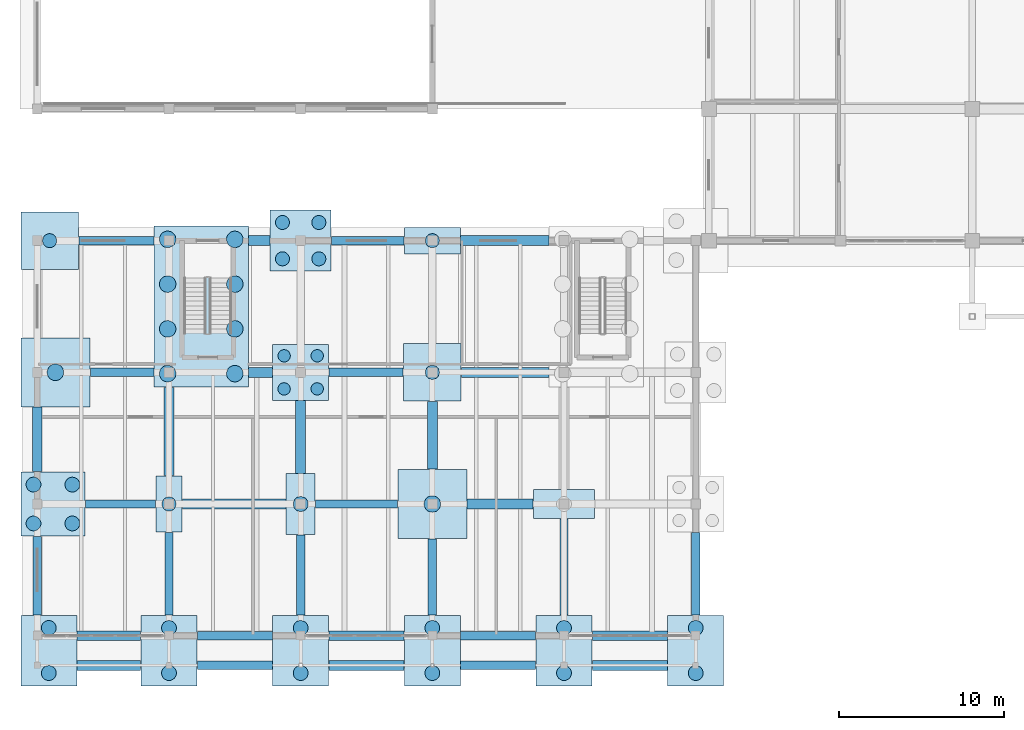
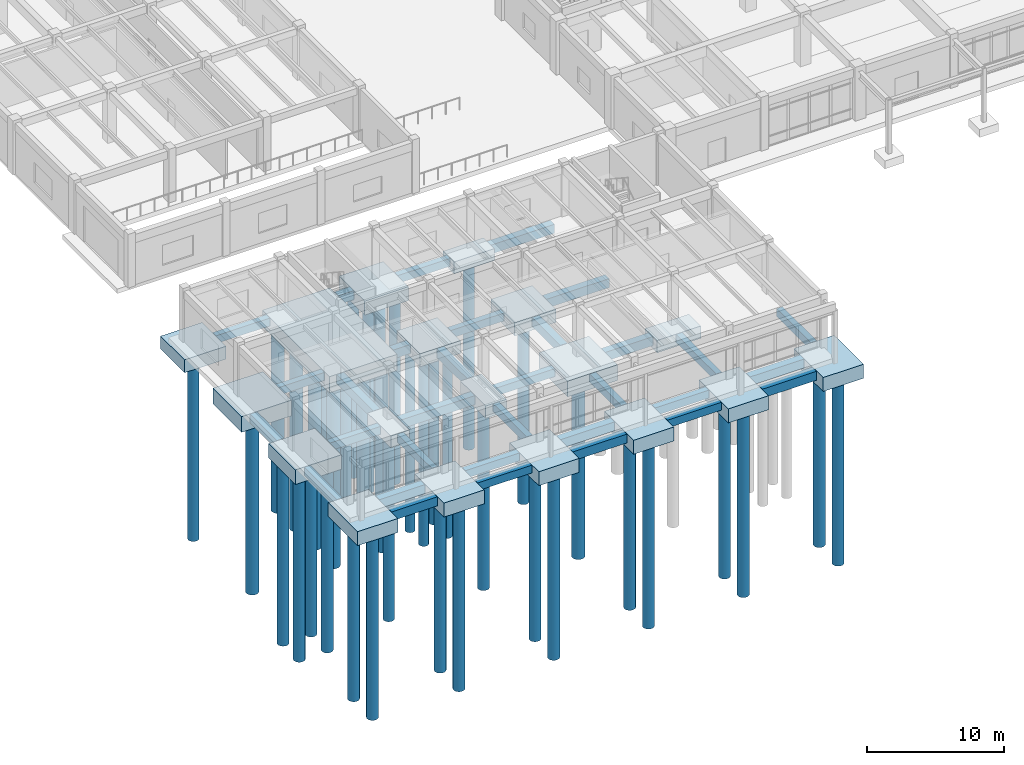
# One storey, part 1 of 64: 50 footings, 39 piles.
"""IFC4 building model written with IfcOpenShell, lengths in metres."""

from ifc_helpers import new_model, si_unit, direction, frame, origin, origin_2d, place, context, subcontext, project, spatial, rectangle, circle, extrude, material, layer, layer_set, material_profile, profile_set, type_object, element, save


model = new_model("IFC4")

# Units and contexts
model_context = context("Model", 3, precision=1e-05, world=origin(), true_north=direction((0.0, 1.0)))
body_context = subcontext(model_context, "Body", "Model", "MODEL_VIEW")
ifc_project = project(units=[si_unit("LENGTHUNIT", "METRE"), si_unit("AREAUNIT", "SQUARE_METRE"), si_unit("VOLUMEUNIT", "CUBIC_METRE"), si_unit("PLANEANGLEUNIT", "RADIAN"), si_unit("MASSUNIT", "GRAM", prefix="KILO")], contexts=[model_context])

# Site, building, storey
site_placement = place(None, origin())
site = spatial("IfcSite", under=ifc_project, at=site_placement, CompositionType="ELEMENT")
building_placement = place(site_placement, origin())
building = spatial("IfcBuilding", under=site, at=building_placement, Name="Tlaxcora Railside Police Headquarters", CompositionType="ELEMENT")
storey_placement = place(building_placement, origin())
storey = spatial("IfcBuildingStorey", under=building, at=storey_placement, Name="L00", CompositionType="ELEMENT", Elevation=0.0)

# Piles
ifc_material_1 = material(Name="Concrete C35/45", Category="concrete")
ifc_material_profile_1 = material_profile(ifc_material_1, circle(Radius=0.425048828125, at=origin_2d()), Name="PILE850")
ifc_profile_set_1 = profile_set([ifc_material_profile_1], Name="Concrete C35/45")
pile_type_1 = type_object("IfcPileType", Name="Cast-in-Place Bored Pile PL-12", PredefinedType="BORED", material=ifc_profile_set_1)
pile_1_placement = place(storey_placement, frame((5.949951171875, 36.0, -1.419921875), z_axis=(0.0, 0.0, -1.0), x_axis=(1.0, 0.0, 0.0)))
element("IfcPile", 1, at=pile_1_placement, inside=storey, type_object=pile_type_1, Name="Bored pile PILE-112-1", PredefinedType="BORED", context=body_context, shape_type="SweptSolid", body=[
    extrude(circle(Radius=0.425048828125, at=origin_2d()), origin(), (0.0, 0.0, 1.0), 16.580078125),
])
pile_2_placement = place(storey_placement, frame((13.199951171875, 20.0, -1.320068359375), z_axis=(0.0, 0.0, -1.0), x_axis=(1.0, 0.0, 0.0)))
element("IfcPile", 2, at=pile_2_placement, inside=storey, type_object=pile_type_1, Name="Bored pile PILE-114-1", PredefinedType="BORED", context=body_context, shape_type="SweptSolid", body=[
    extrude(circle(Radius=0.425048828125, at=origin_2d()), origin(), (0.0, 0.0, 1.0), 16.679931640625),
])
for number, where, z_axis, x_axis, name in (
    (3, (20.094970703125, 34.89501953125, -1.52001953125), (0.0, 0.0, -1.0), (1.0, 0.0, 0.0), "Bored pile PILE-118-1"),
    (4, (20.094970703125, 37.10498046875, -1.52001953125), (0.0, 0.0, -1.0), (1.0, 0.0, 0.0), "Bored pile PILE-118-2"),
    (5, (22.304931640625, 34.89501953125, -1.52001953125), (0.0, 0.0, -1.0), (1.0, 0.0, 0.0), "Bored pile PILE-118-3"),
    (6, (22.304931640625, 37.10498046875, -1.52001953125), (0.0, 0.0, -1.0), (1.0, 0.0, 0.0), "Bored pile PILE-118-4"),
):
    element("IfcPile", number, at=place(storey_placement, frame(where, z_axis=z_axis, x_axis=x_axis)), inside=storey, type_object=pile_type_1, Name=name, PredefinedType="BORED", context=body_context, shape_type="SweptSolid", body=[
        extrude(circle(Radius=0.425048828125, at=origin_2d()), origin(), (0.0, 0.0, 1.0), 16.47998046875),
    ])
pile_3_placement = place(storey_placement, frame((29.199951171875, 28.0, -1.419921875), z_axis=(0.0, 0.0, -1.0), x_axis=(1.0, 0.0, 0.0)))
element("IfcPile", 7, at=pile_3_placement, inside=storey, type_object=pile_type_1, Name="Bored pile PILE-121-1", PredefinedType="BORED", context=body_context, shape_type="SweptSolid", body=[
    extrude(circle(Radius=0.425048828125, at=origin_2d()), origin(), (0.0, 0.0, 1.0), 16.580078125),
])
pile_4_placement = place(storey_placement, frame((29.199951171875, 36.0, -1.320068359375), z_axis=(0.0, 0.0, -1.0), x_axis=(1.0, 0.0, 0.0)))
element("IfcPile", 8, at=pile_4_placement, inside=storey, type_object=pile_type_1, Name="Bored pile PILE-122-1", PredefinedType="BORED", context=body_context, shape_type="SweptSolid", body=[
    extrude(circle(Radius=0.425048828125, at=origin_2d()), origin(), (0.0, 0.0, 1.0), 16.679931640625),
])
ifc_material_profile_2 = material_profile(ifc_material_1, circle(Radius=0.449951171875, at=origin_2d()), Name="PILE900")
ifc_profile_set_2 = profile_set([ifc_material_profile_2], Name="Concrete C35/45")
pile_type_2 = type_object("IfcPileType", Name="Cast-in-Place Bored Pile PL-52", PredefinedType="BORED", material=ifc_profile_set_2)
for number, where, z_axis, x_axis, name in (
    (9, (5.89990234375, 9.72998046875, -1.52001953125), (0.0, 0.0, -1.0), (1.0, 0.0, 0.0), "Bored pile PILE-109-1"),
    (10, (5.89990234375, 12.469970703125, -1.52001953125), (0.0, 0.0, -1.0), (1.0, 0.0, 0.0), "Bored pile PILE-109-2"),
):
    element("IfcPile", number, at=place(storey_placement, frame(where, z_axis=z_axis, x_axis=x_axis)), inside=storey, type_object=pile_type_2, Name=name, PredefinedType="BORED", context=body_context, shape_type="SweptSolid", body=[
        extrude(circle(Radius=0.449951171875, at=origin_2d()), origin(), (0.0, 0.0, 1.0), 16.47998046875),
    ])
for number, where, z_axis, x_axis, name in (
    (11, (4.969970703125, 18.820068359375, -1.570068359375), (0.0, 0.0, -1.0), (1.0, 0.0, 0.0), "Bored pile PILE-110-1"),
    (12, (4.969970703125, 21.179931640625, -1.570068359375), (0.0, 0.0, -1.0), (1.0, 0.0, 0.0), "Bored pile PILE-110-2"),
    (13, (7.330078125, 18.820068359375, -1.570068359375), (0.0, 0.0, -1.0), (1.0, 0.0, 0.0), "Bored pile PILE-110-3"),
    (14, (7.330078125, 21.179931640625, -1.570068359375), (0.0, 0.0, -1.0), (1.0, 0.0, 0.0), "Bored pile PILE-110-4"),
):
    element("IfcPile", number, at=place(storey_placement, frame(where, z_axis=z_axis, x_axis=x_axis)), inside=storey, type_object=pile_type_2, Name=name, PredefinedType="BORED", context=body_context, shape_type="SweptSolid", body=[
        extrude(circle(Radius=0.449951171875, at=origin_2d()), origin(), (0.0, 0.0, 1.0), 16.429931640625),
    ])
for number, where, z_axis, x_axis, name in (
    (15, (13.199951171875, 9.72998046875, -1.52001953125), (0.0, 0.0, -1.0), (1.0, 0.0, 0.0), "Bored pile PILE-113-1"),
    (16, (13.199951171875, 12.469970703125, -1.52001953125), (0.0, 0.0, -1.0), (1.0, 0.0, 0.0), "Bored pile PILE-113-2"),
    (17, (21.199951171875, 9.72998046875, -1.52001953125), (0.0, 0.0, -1.0), (1.0, 0.0, 0.0), "Bored pile PILE-115-1"),
    (18, (21.199951171875, 12.469970703125, -1.52001953125), (0.0, 0.0, -1.0), (1.0, 0.0, 0.0), "Bored pile PILE-115-2"),
):
    element("IfcPile", number, at=place(storey_placement, frame(where, z_axis=z_axis, x_axis=x_axis)), inside=storey, type_object=pile_type_2, Name=name, PredefinedType="BORED", context=body_context, shape_type="SweptSolid", body=[
        extrude(circle(Radius=0.449951171875, at=origin_2d()), origin(), (0.0, 0.0, 1.0), 16.47998046875),
    ])
pile_5_placement = place(storey_placement, frame((21.199951171875, 20.0, -1.3701171875), z_axis=(0.0, 0.0, -1.0), x_axis=(1.0, 0.0, 0.0)))
element("IfcPile", 19, at=pile_5_placement, inside=storey, type_object=pile_type_2, Name="Bored pile PILE-116-1", PredefinedType="BORED", context=body_context, shape_type="SweptSolid", body=[
    extrude(circle(Radius=0.449951171875, at=origin_2d()), origin(), (0.0, 0.0, 1.0), 16.6298828125),
])
for number, where, z_axis, x_axis, name in (
    (20, (29.199951171875, 9.72998046875, -1.52001953125), (0.0, 0.0, -1.0), (1.0, 0.0, 0.0), "Bored pile PILE-119-1"),
    (21, (29.199951171875, 12.469970703125, -1.52001953125), (0.0, 0.0, -1.0), (1.0, 0.0, 0.0), "Bored pile PILE-119-2"),
    (22, (37.199951171875, 9.72998046875, -1.52001953125), (0.0, 0.0, -1.0), (1.0, 0.0, 0.0), "Bored pile PILE-123-1"),
    (23, (37.199951171875, 12.469970703125, -1.52001953125), (0.0, 0.0, -1.0), (1.0, 0.0, 0.0), "Bored pile PILE-123-2"),
    (24, (45.199951171875, 9.72998046875, -1.52001953125), (0.0, 0.0, -1.0), (1.0, 0.0, 0.0), "Bored pile PILE-125-1"),
    (25, (45.199951171875, 12.469970703125, -1.52001953125), (0.0, 0.0, -1.0), (1.0, 0.0, 0.0), "Bored pile PILE-125-2"),
):
    element("IfcPile", number, at=place(storey_placement, frame(where, z_axis=z_axis, x_axis=x_axis)), inside=storey, type_object=pile_type_2, Name=name, PredefinedType="BORED", context=body_context, shape_type="SweptSolid", body=[
        extrude(circle(Radius=0.449951171875, at=origin_2d()), origin(), (0.0, 0.0, 1.0), 16.47998046875),
    ])
ifc_material_profile_3 = material_profile(ifc_material_1, circle(Radius=0.375, at=origin_2d()), Name="PILE750")
ifc_profile_set_3 = profile_set([ifc_material_profile_3], Name="Concrete C35/45")
pile_type_3 = type_object("IfcPileType", Name="Cast-in-Place Bored Pile PL-58", PredefinedType="BORED", material=ifc_profile_set_3)
for number, where, z_axis, x_axis, name in (
    (26, (20.195068359375, 26.9951171875, -1.419921875), (0.0, 0.0, -1.0), (1.0, 0.0, 0.0), "Bored pile PILE-117-1"),
    (27, (20.195068359375, 29.0048828125, -1.419921875), (0.0, 0.0, -1.0), (1.0, 0.0, 0.0), "Bored pile PILE-117-2"),
    (28, (22.205078125, 26.9951171875, -1.419921875), (0.0, 0.0, -1.0), (1.0, 0.0, 0.0), "Bored pile PILE-117-3"),
    (29, (22.205078125, 29.0048828125, -1.419921875), (0.0, 0.0, -1.0), (1.0, 0.0, 0.0), "Bored pile PILE-117-4"),
):
    element("IfcPile", number, at=place(storey_placement, frame(where, z_axis=z_axis, x_axis=x_axis)), inside=storey, type_object=pile_type_3, Name=name, PredefinedType="BORED", context=body_context, shape_type="SweptSolid", body=[
        extrude(circle(Radius=0.375, at=origin_2d()), origin(), (0.0, 0.0, 1.0), 16.580078125),
    ])
ifc_material_profile_4 = material_profile(ifc_material_1, circle(Radius=0.5, at=origin_2d()), Name="PILE1000")
ifc_profile_set_4 = profile_set([ifc_material_profile_4], Name="Concrete C35/45")
pile_type_4 = type_object("IfcPileType", Name="Cast-in-Place Bored Pile PL-74", PredefinedType="BORED", material=ifc_profile_set_4)
for number, where, z_axis, x_axis, name in (
    (30, (13.1201171875, 27.919921875, -1.719970703125), (0.0, 0.0, -1.0), (1.0, 0.0, 0.0), "Bored pile PILE-103-1"),
    (31, (13.1201171875, 30.639892578125, -1.719970703125), (0.0, 0.0, -1.0), (1.0, 0.0, 0.0), "Bored pile PILE-103-2"),
    (32, (13.1201171875, 33.360107421875, -1.719970703125), (0.0, 0.0, -1.0), (1.0, 0.0, 0.0), "Bored pile PILE-103-3"),
    (33, (13.1201171875, 36.080078125, -1.719970703125), (0.0, 0.0, -1.0), (1.0, 0.0, 0.0), "Bored pile PILE-103-4"),
    (34, (17.199951171875, 27.919921875, -1.719970703125), (0.0, 0.0, -1.0), (1.0, 0.0, 0.0), "Bored pile PILE-103-5"),
    (35, (17.199951171875, 30.639892578125, -1.719970703125), (0.0, 0.0, -1.0), (1.0, 0.0, 0.0), "Bored pile PILE-103-6"),
    (36, (17.199951171875, 33.360107421875, -1.719970703125), (0.0, 0.0, -1.0), (1.0, 0.0, 0.0), "Bored pile PILE-103-7"),
    (37, (17.199951171875, 36.080078125, -1.719970703125), (0.0, 0.0, -1.0), (1.0, 0.0, 0.0), "Bored pile PILE-103-8"),
):
    element("IfcPile", number, at=place(storey_placement, frame(where, z_axis=z_axis, x_axis=x_axis)), inside=storey, type_object=pile_type_4, Name=name, PredefinedType="BORED", context=body_context, shape_type="SweptSolid", body=[
        extrude(circle(Radius=0.5, at=origin_2d()), origin(), (0.0, 0.0, 1.0), 16.280029296875),
    ])
for number, where, z_axis, x_axis, name in (
    (38, (6.300048828125, 28.0, -1.669921875), (0.0, 0.0, -1.0), (1.0, 0.0, 0.0), "Bored pile PILE-111-1"),
    (39, (29.199951171875, 20.0, -1.669921875), (0.0, 0.0, -1.0), (1.0, 0.0, 0.0), "Bored pile PILE-120-1"),
):
    element("IfcPile", number, at=place(storey_placement, frame(where, z_axis=z_axis, x_axis=x_axis)), inside=storey, type_object=pile_type_4, Name=name, PredefinedType="BORED", context=body_context, shape_type="SweptSolid", body=[
        extrude(circle(Radius=0.5, at=origin_2d()), origin(), (0.0, 0.0, 1.0), 16.330078125),
    ])

# Footings
ifc_material_2 = material(Name="Concrete C40/50", Category="concrete")
ifc_layer_1 = layer(ifc_material_2, 1.449951171875, Name="Concrete C40/50")
ifc_layer_set_1 = layer_set([ifc_layer_1], Name="Concrete C40/50")
footing_type_1 = type_object("IfcFootingType", Name="Reinforced Concrete Pile Cap FT-242", PredefinedType="PILE_CAP", material=ifc_layer_set_1)
footing_1_placement = place(storey_placement, frame((15.159912109375, 32.0, -1.8701171875), z_axis=(0.0, 0.0, 1.0), x_axis=(1.0, 0.0, 0.0)))
element("IfcFooting", 40, at=footing_1_placement, inside=storey, type_object=footing_type_1, Name="Pile cap CAP-L00-103", PredefinedType="PILE_CAP", context=body_context, shape_type="SweptSolid", body=[
    extrude(rectangle(XDim=5.719970703125, YDim=9.800048828125, at=origin_2d()), origin(), (0.0, 0.0, 1.0), 1.449951171875),
])
ifc_layer_2 = layer(ifc_material_2, 1.25, Name="Concrete C40/50")
ifc_layer_set_2 = layer_set([ifc_layer_2], Name="Concrete C40/50")
footing_type_2 = type_object("IfcFootingType", Name="Reinforced Concrete Pile Cap FT-246", PredefinedType="PILE_CAP", material=ifc_layer_set_2)
for number, where, z_axis, x_axis, name in (
    (41, (5.89990234375, 11.10009765625, -1.669921875), (0.0, 0.0, 1.0), (1.0, 0.0, 0.0), "Pile cap CAP-L00-109"),
    (42, (13.199951171875, 11.10009765625, -1.669921875), (0.0, 0.0, 1.0), (1.0, 0.0, 0.0), "Pile cap CAP-L00-113"),
    (43, (21.199951171875, 11.10009765625, -1.669921875), (0.0, 0.0, 1.0), (1.0, 0.0, 0.0), "Pile cap CAP-L00-115"),
    (44, (29.199951171875, 11.10009765625, -1.669921875), (0.0, 0.0, 1.0), (1.0, 0.0, 0.0), "Pile cap CAP-L00-119"),
    (45, (37.199951171875, 11.10009765625, -1.669921875), (0.0, 0.0, 1.0), (1.0, 0.0, 0.0), "Pile cap CAP-L00-123"),
    (46, (45.199951171875, 11.10009765625, -1.669921875), (0.0, 0.0, 1.0), (1.0, 0.0, 0.0), "Pile cap CAP-L00-125"),
):
    element("IfcFooting", number, at=place(storey_placement, frame(where, z_axis=z_axis, x_axis=x_axis)), inside=storey, type_object=footing_type_2, Name=name, PredefinedType="PILE_CAP", context=body_context, shape_type="SweptSolid", body=[
        extrude(rectangle(XDim=3.39990234375, YDim=4.280029296875, at=origin_2d()), origin(), (0.0, 0.0, 1.0), 1.25),
    ])
ifc_layer_3 = layer(ifc_material_2, 1.050048828125, Name="Concrete C40/50")
ifc_layer_set_3 = layer_set([ifc_layer_3], Name="Concrete C40/50")
footing_type_3 = type_object("IfcFootingType", Name="Reinforced Concrete Pile Cap FT-28", PredefinedType="PILE_CAP", material=ifc_layer_set_3)
footing_2_placement = place(storey_placement, frame((29.199951171875, 36.0, -1.47021484375), z_axis=(0.0, 0.0, 1.0), x_axis=(1.0, 0.0, 0.0)))
element("IfcFooting", 47, at=footing_2_placement, inside=storey, type_object=footing_type_3, Name="Pile cap CAP-L00-122", PredefinedType="PILE_CAP", context=body_context, shape_type="SweptSolid", body=[
    extrude(rectangle(XDim=3.39990234375, YDim=1.60009765625, at=origin_2d()), origin(), (0.0, 0.0, 1.0), 1.050048828125),
])
ifc_layer_4 = layer(ifc_material_2, 1.050048828125, Name="Concrete C40/50")
ifc_layer_set_4 = layer_set([ifc_layer_4], Name="Concrete C40/50")
footing_type_4 = type_object("IfcFootingType", Name="Reinforced Concrete Pile Cap FT-30", PredefinedType="PILE_CAP", material=ifc_layer_set_4)
footing_3_placement = place(storey_placement, frame((13.199951171875, 20.0, -1.47021484375), z_axis=(0.0, 0.0, 1.0), x_axis=(1.0, 0.0, 0.0)))
element("IfcFooting", 48, at=footing_3_placement, inside=storey, type_object=footing_type_4, Name="Pile cap CAP-L00-114", PredefinedType="PILE_CAP", context=body_context, shape_type="SweptSolid", body=[
    extrude(rectangle(XDim=1.60009765625, YDim=3.39990234375, at=origin_2d()), origin(), (0.0, 0.0, 1.0), 1.050048828125),
])
ifc_layer_5 = layer(ifc_material_2, 1.14990234375, Name="Concrete C40/50")
ifc_layer_set_5 = layer_set([ifc_layer_5], Name="Concrete C40/50")
footing_type_5 = type_object("IfcFootingType", Name="Reinforced Concrete Pile Cap FT-44", PredefinedType="PILE_CAP", material=ifc_layer_set_5)
footing_4_placement = place(storey_placement, frame((21.199951171875, 28.0, -1.570068359375), z_axis=(0.0, 0.0, 1.0), x_axis=(1.0, 0.0, 0.0)))
element("IfcFooting", 49, at=footing_4_placement, inside=storey, type_object=footing_type_5, Name="Pile cap CAP-L00-117", PredefinedType="PILE_CAP", context=body_context, shape_type="SweptSolid", body=[
    extrude(rectangle(XDim=3.39990234375, YDim=3.39990234375, at=origin_2d()), origin(), (0.0, 0.0, 1.0), 1.14990234375),
])
ifc_layer_6 = layer(ifc_material_2, 1.14990234375, Name="Concrete C40/50")
ifc_layer_set_6 = layer_set([ifc_layer_6], Name="Concrete C40/50")
footing_type_6 = type_object("IfcFootingType", Name="Reinforced Concrete Pile Cap FT-46", PredefinedType="PILE_CAP", material=ifc_layer_set_6)
for number, where, z_axis, x_axis, name in (
    (50, (5.949951171875, 36.0, -1.570068359375), (0.0, 0.0, 1.0), (1.0, 0.0, 0.0), "Pile cap CAP-L00-112"),
    (51, (29.199951171875, 28.0, -1.570068359375), (0.0, 0.0, 1.0), (1.0, 0.0, 0.0), "Pile cap CAP-L00-121"),
):
    element("IfcFooting", number, at=place(storey_placement, frame(where, z_axis=z_axis, x_axis=x_axis)), inside=storey, type_object=footing_type_6, Name=name, PredefinedType="PILE_CAP", context=body_context, shape_type="SweptSolid", body=[
        extrude(rectangle(XDim=3.5, YDim=3.5, at=origin_2d()), origin(), (0.0, 0.0, 1.0), 1.14990234375),
    ])
ifc_layer_7 = layer(ifc_material_2, 1.300048828125, Name="Concrete C40/50")
ifc_layer_set_7 = layer_set([ifc_layer_7], Name="Concrete C40/50")
footing_type_7 = type_object("IfcFootingType", Name="Reinforced Concrete Pile Cap FT-75", PredefinedType="PILE_CAP", material=ifc_layer_set_7)
footing_5_placement = place(storey_placement, frame((6.14990234375, 20.0, -1.72021484375), z_axis=(0.0, 0.0, 1.0), x_axis=(1.0, 0.0, 0.0)))
element("IfcFooting", 52, at=footing_5_placement, inside=storey, type_object=footing_type_7, Name="Pile cap CAP-L00-110", PredefinedType="PILE_CAP", context=body_context, shape_type="SweptSolid", body=[
    extrude(rectangle(XDim=3.89990234375, YDim=3.89990234375, at=origin_2d()), origin(), (0.0, 0.0, 1.0), 1.300048828125),
])
ifc_layer_8 = layer(ifc_material_2, 1.10009765625, Name="Concrete C40/50")
ifc_layer_set_8 = layer_set([ifc_layer_8], Name="Concrete C40/50")
footing_type_8 = type_object("IfcFootingType", Name="Reinforced Concrete Pile Cap FT-77", PredefinedType="PILE_CAP", material=ifc_layer_set_8)
footing_6_placement = place(storey_placement, frame((37.199951171875, 20.0, -1.52001953125), z_axis=(0.0, 0.0, 1.0), x_axis=(1.0, 0.0, 0.0)))
element("IfcFooting", 53, at=footing_6_placement, inside=storey, type_object=footing_type_8, Name="Pile cap CAP-L00-124", PredefinedType="PILE_CAP", context=body_context, shape_type="SweptSolid", body=[
    extrude(rectangle(XDim=3.699951171875, YDim=1.75, at=origin_2d()), origin(), (0.0, 0.0, 1.0), 1.10009765625),
])
ifc_layer_9 = layer(ifc_material_2, 1.25, Name="Concrete C40/50")
ifc_layer_set_9 = layer_set([ifc_layer_9], Name="Concrete C40/50")
footing_type_9 = type_object("IfcFootingType", Name="Reinforced Concrete Pile Cap FT-78", PredefinedType="PILE_CAP", material=ifc_layer_set_9)
footing_7_placement = place(storey_placement, frame((21.199951171875, 36.0, -1.669921875), z_axis=(0.0, 0.0, 1.0), x_axis=(1.0, 0.0, 0.0)))
element("IfcFooting", 54, at=footing_7_placement, inside=storey, type_object=footing_type_9, Name="Pile cap CAP-L00-118", PredefinedType="PILE_CAP", context=body_context, shape_type="SweptSolid", body=[
    extrude(rectangle(XDim=3.699951171875, YDim=3.699951171875, at=origin_2d()), origin(), (0.0, 0.0, 1.0), 1.25),
])
ifc_layer_10 = layer(ifc_material_2, 1.39990234375, Name="Concrete C40/50")
ifc_layer_set_10 = layer_set([ifc_layer_10], Name="Concrete C40/50")
footing_type_10 = type_object("IfcFootingType", Name="Reinforced Concrete Pile Cap FT-93", PredefinedType="PILE_CAP", material=ifc_layer_set_10)
for number, where, z_axis, x_axis, name in (
    (55, (6.300048828125, 28.0, -1.820068359375), (0.0, 0.0, 1.0), (1.0, 0.0, 0.0), "Pile cap CAP-L00-111"),
    (56, (29.199951171875, 20.0, -1.820068359375), (0.0, 0.0, 1.0), (1.0, 0.0, 0.0), "Pile cap CAP-L00-120"),
):
    element("IfcFooting", number, at=place(storey_placement, frame(where, z_axis=z_axis, x_axis=x_axis)), inside=storey, type_object=footing_type_10, Name=name, PredefinedType="PILE_CAP", context=body_context, shape_type="SweptSolid", body=[
        extrude(rectangle(XDim=4.199951171875, YDim=4.199951171875, at=origin_2d()), origin(), (0.0, 0.0, 1.0), 1.39990234375),
    ])
ifc_layer_11 = layer(ifc_material_2, 1.10009765625, Name="Concrete C40/50")
ifc_layer_set_11 = layer_set([ifc_layer_11], Name="Concrete C40/50")
footing_type_11 = type_object("IfcFootingType", Name="Reinforced Concrete Pile Cap FT-97", PredefinedType="PILE_CAP", material=ifc_layer_set_11)
footing_8_placement = place(storey_placement, frame((21.199951171875, 20.0, -1.52001953125), z_axis=(0.0, 0.0, 1.0), x_axis=(1.0, 0.0, 0.0)))
element("IfcFooting", 57, at=footing_8_placement, inside=storey, type_object=footing_type_11, Name="Pile cap CAP-L00-116", PredefinedType="PILE_CAP", context=body_context, shape_type="SweptSolid", body=[
    extrude(rectangle(XDim=1.75, YDim=3.699951171875, at=origin_2d()), origin(), (0.0, 0.0, 1.0), 1.10009765625),
])
ifc_layer_12 = layer(ifc_material_1, 0.699951171875, Name="Concrete C35/45")
ifc_layer_set_12 = layer_set([ifc_layer_12], Name="Concrete C35/45")
footing_type_12 = type_object("IfcFootingType", Name="Reinforced Concrete Tie Beam FT-39", PredefinedType="FOOTING_BEAM", material=ifc_layer_set_12)
for number, where, z_axis, x_axis, name in (
    (58, (17.199951171875, 10.199951171875, -1.1201171875), (0.0, 0.0, 1.0), (1.0, 0.0, 0.0), "Seismic tie beam TB-X-171"),
    (59, (33.199951171875, 10.199951171875, -1.1201171875), (0.0, 0.0, 1.0), (1.0, 0.0, 0.0), "Seismic tie beam TB-X-173"),
    (60, (17.199951171875, 12.0, -1.1201171875), (0.0, 0.0, 1.0), (1.0, 0.0, 0.0), "Seismic tie beam TB-X-181"),
    (61, (33.199951171875, 12.0, -1.1201171875), (0.0, 0.0, 1.0), (1.0, 0.0, 0.0), "Seismic tie beam TB-X-183"),
):
    element("IfcFooting", number, at=place(storey_placement, frame(where, z_axis=z_axis, x_axis=x_axis)), inside=storey, type_object=footing_type_12, Name=name, PredefinedType="FOOTING_BEAM", context=body_context, shape_type="SweptSolid", body=[
        extrude(rectangle(XDim=4.56005859375, YDim=0.5, at=origin_2d()), origin(), (0.0, 0.0, 1.0), 0.699951171875),
    ])
footing_9_placement = place(storey_placement, frame((10.25, 20.0, -1.1201171875), z_axis=(0.0, 0.0, 1.0), x_axis=(1.0, 0.0, 0.0)))
element("IfcFooting", 62, at=footing_9_placement, inside=storey, type_object=footing_type_12, Name="Seismic tie beam TB-X-193", PredefinedType="FOOTING_BEAM", context=body_context, shape_type="SweptSolid", body=[
    extrude(rectangle(XDim=4.260009765625, YDim=0.5, at=origin_2d()), origin(), (0.0, 0.0, 1.0), 0.699951171875),
])
footing_10_placement = place(storey_placement, frame((24.58740234375, 20.0, -1.1201171875), z_axis=(0.0, 0.0, 1.0), x_axis=(1.0, 0.0, 0.0)))
element("IfcFooting", 63, at=footing_10_placement, inside=storey, type_object=footing_type_12, Name="Seismic tie beam TB-X-195", PredefinedType="FOOTING_BEAM", context=body_context, shape_type="SweptSolid", body=[
    extrude(rectangle(XDim=4.985107421875, YDim=0.5, at=origin_2d()), origin(), (0.0, 0.0, 1.0), 0.699951171875),
])
footing_11_placement = place(storey_placement, frame((10.35009765625, 28.0, -1.1201171875), z_axis=(0.0, 0.0, 1.0), x_axis=(1.0, 0.0, 0.0)))
element("IfcFooting", 64, at=footing_11_placement, inside=storey, type_object=footing_type_12, Name="Seismic tie beam TB-X-199", PredefinedType="FOOTING_BEAM", context=body_context, shape_type="SweptSolid", body=[
    extrude(rectangle(XDim=3.860107421875, YDim=0.5, at=origin_2d()), origin(), (0.0, 0.0, 1.0), 0.699951171875),
])
footing_12_placement = place(storey_placement, frame((25.175048828125, 28.0, -1.1201171875), z_axis=(0.0, 0.0, 1.0), x_axis=(1.0, 0.0, 0.0)))
element("IfcFooting", 65, at=footing_12_placement, inside=storey, type_object=footing_type_12, Name="Seismic tie beam TB-X-201", PredefinedType="FOOTING_BEAM", context=body_context, shape_type="SweptSolid", body=[
    extrude(rectangle(XDim=4.510009765625, YDim=0.5, at=origin_2d()), origin(), (0.0, 0.0, 1.0), 0.699951171875),
])
footing_13_placement = place(storey_placement, frame((10.0, 36.0, -1.1201171875), z_axis=(0.0, 0.0, 1.0), x_axis=(1.0, 0.0, 0.0)))
element("IfcFooting", 66, at=footing_13_placement, inside=storey, type_object=footing_type_12, Name="Seismic tie beam TB-X-217", PredefinedType="FOOTING_BEAM", context=body_context, shape_type="SweptSolid", body=[
    extrude(rectangle(XDim=4.56005859375, YDim=0.5, at=origin_2d()), origin(), (0.0, 0.0, 1.0), 0.699951171875),
])
footing_14_placement = place(storey_placement, frame((25.27490234375, 36.0, -1.1201171875), z_axis=(0.0, 0.0, 1.0), x_axis=(1.0, 0.0, 0.0)))
element("IfcFooting", 67, at=footing_14_placement, inside=storey, type_object=footing_type_12, Name="Seismic tie beam TB-X-219", PredefinedType="FOOTING_BEAM", context=body_context, shape_type="SweptSolid", body=[
    extrude(rectangle(XDim=4.409912109375, YDim=0.5, at=origin_2d()), origin(), (0.0, 0.0, 1.0), 0.699951171875),
])
footing_15_placement = place(storey_placement, frame((5.199951171875, 15.64501953125, -1.1201171875), z_axis=(0.0, 0.0, 1.0), x_axis=(0.0, 1.0, 0.0)))
element("IfcFooting", 68, at=footing_15_placement, inside=storey, type_object=footing_type_12, Name="Seismic tie beam TB-Y-241", PredefinedType="FOOTING_BEAM", context=body_context, shape_type="SweptSolid", body=[
    extrude(rectangle(XDim=4.77001953125, YDim=0.5, at=origin_2d()), origin(), (0.0, 0.0, 1.0), 0.699951171875),
])
footing_16_placement = place(storey_placement, frame((13.199951171875, 15.77001953125, -1.1201171875), z_axis=(0.0, 0.0, 1.0), x_axis=(0.0, 1.0, 0.0)))
element("IfcFooting", 69, at=footing_16_placement, inside=storey, type_object=footing_type_12, Name="Seismic tie beam TB-Y-243", PredefinedType="FOOTING_BEAM", context=body_context, shape_type="SweptSolid", body=[
    extrude(rectangle(XDim=5.02001953125, YDim=0.5, at=origin_2d()), origin(), (0.0, 0.0, 1.0), 0.699951171875),
])
footing_17_placement = place(storey_placement, frame((21.199951171875, 15.695068359375, -1.1201171875), z_axis=(0.0, 0.0, 1.0), x_axis=(0.0, 1.0, 0.0)))
element("IfcFooting", 70, at=footing_17_placement, inside=storey, type_object=footing_type_12, Name="Seismic tie beam TB-Y-245", PredefinedType="FOOTING_BEAM", context=body_context, shape_type="SweptSolid", body=[
    extrude(rectangle(XDim=4.8701171875, YDim=0.5, at=origin_2d()), origin(), (0.0, 0.0, 1.0), 0.699951171875),
])
footing_18_placement = place(storey_placement, frame((29.199951171875, 15.570068359375, -1.1201171875), z_axis=(0.0, 0.0, 1.0), x_axis=(0.0, 1.0, 0.0)))
element("IfcFooting", 71, at=footing_18_placement, inside=storey, type_object=footing_type_12, Name="Seismic tie beam TB-Y-247", PredefinedType="FOOTING_BEAM", context=body_context, shape_type="SweptSolid", body=[
    extrude(rectangle(XDim=4.6201171875, YDim=0.5, at=origin_2d()), origin(), (0.0, 0.0, 1.0), 0.699951171875),
])
footing_19_placement = place(storey_placement, frame((37.199951171875, 16.1826171875, -1.1201171875), z_axis=(0.0, 0.0, 1.0), x_axis=(0.0, 1.0, 0.0)))
element("IfcFooting", 72, at=footing_19_placement, inside=storey, type_object=footing_type_12, Name="Seismic tie beam TB-Y-249", PredefinedType="FOOTING_BEAM", context=body_context, shape_type="SweptSolid", body=[
    extrude(rectangle(XDim=5.844970703125, YDim=0.5, at=origin_2d()), origin(), (0.0, 0.0, 1.0), 0.699951171875),
])
footing_20_placement = place(storey_placement, frame((45.199951171875, 15.77001953125, -1.1201171875), z_axis=(0.0, 0.0, 1.0), x_axis=(0.0, 1.0, 0.0)))
element("IfcFooting", 73, at=footing_20_placement, inside=storey, type_object=footing_type_12, Name="Seismic tie beam TB-Y-251", PredefinedType="FOOTING_BEAM", context=body_context, shape_type="SweptSolid", body=[
    extrude(rectangle(XDim=5.02001953125, YDim=0.5, at=origin_2d()), origin(), (0.0, 0.0, 1.0), 0.699951171875),
])
ifc_layer_13 = layer(ifc_material_1, 0.800048828125, Name="Concrete C35/45")
ifc_layer_set_13 = layer_set([ifc_layer_13], Name="Concrete C35/45")
footing_type_13 = type_object("IfcFootingType", Name="Reinforced Concrete Tie Beam FT-96", PredefinedType="FOOTING_BEAM", material=ifc_layer_set_13)
footing_21_placement = place(storey_placement, frame((9.550048828125, 10.199951171875, -1.22021484375), z_axis=(0.0, 0.0, 1.0), x_axis=(1.0, 0.0, 0.0)))
element("IfcFooting", 74, at=footing_21_placement, inside=storey, type_object=footing_type_13, Name="Seismic tie beam TB-X-170", PredefinedType="FOOTING_BEAM", context=body_context, shape_type="SweptSolid", body=[
    extrude(rectangle(XDim=3.860107421875, YDim=0.60009765625, at=origin_2d()), origin(), (0.0, 0.0, 1.0), 0.800048828125),
])
for number, where, z_axis, x_axis, name in (
    (75, (25.199951171875, 10.199951171875, -1.22021484375), (0.0, 0.0, 1.0), (1.0, 0.0, 0.0), "Seismic tie beam TB-X-172"),
    (76, (41.199951171875, 10.199951171875, -1.22021484375), (0.0, 0.0, 1.0), (1.0, 0.0, 0.0), "Seismic tie beam TB-X-174"),
):
    element("IfcFooting", number, at=place(storey_placement, frame(where, z_axis=z_axis, x_axis=x_axis)), inside=storey, type_object=footing_type_13, Name=name, PredefinedType="FOOTING_BEAM", context=body_context, shape_type="SweptSolid", body=[
        extrude(rectangle(XDim=4.56005859375, YDim=0.60009765625, at=origin_2d()), origin(), (0.0, 0.0, 1.0), 0.800048828125),
    ])
footing_22_placement = place(storey_placement, frame((9.550048828125, 12.0, -1.22021484375), z_axis=(0.0, 0.0, 1.0), x_axis=(1.0, 0.0, 0.0)))
element("IfcFooting", 77, at=footing_22_placement, inside=storey, type_object=footing_type_13, Name="Seismic tie beam TB-X-180", PredefinedType="FOOTING_BEAM", context=body_context, shape_type="SweptSolid", body=[
    extrude(rectangle(XDim=3.860107421875, YDim=0.60009765625, at=origin_2d()), origin(), (0.0, 0.0, 1.0), 0.800048828125),
])
for number, where, z_axis, x_axis, name in (
    (78, (25.199951171875, 12.0, -1.22021484375), (0.0, 0.0, 1.0), (1.0, 0.0, 0.0), "Seismic tie beam TB-X-182"),
    (79, (41.199951171875, 12.0, -1.22021484375), (0.0, 0.0, 1.0), (1.0, 0.0, 0.0), "Seismic tie beam TB-X-184"),
):
    element("IfcFooting", number, at=place(storey_placement, frame(where, z_axis=z_axis, x_axis=x_axis)), inside=storey, type_object=footing_type_13, Name=name, PredefinedType="FOOTING_BEAM", context=body_context, shape_type="SweptSolid", body=[
        extrude(rectangle(XDim=4.56005859375, YDim=0.60009765625, at=origin_2d()), origin(), (0.0, 0.0, 1.0), 0.800048828125),
    ])
footing_23_placement = place(storey_placement, frame((17.16259765625, 20.0, -1.22021484375), z_axis=(0.0, 0.0, 1.0), x_axis=(1.0, 0.0, 0.0)))
element("IfcFooting", 80, at=footing_23_placement, inside=storey, type_object=footing_type_13, Name="Seismic tie beam TB-X-194", PredefinedType="FOOTING_BEAM", context=body_context, shape_type="SweptSolid", body=[
    extrude(rectangle(XDim=6.284912109375, YDim=0.60009765625, at=origin_2d()), origin(), (0.0, 0.0, 1.0), 0.800048828125),
])
footing_24_placement = place(storey_placement, frame((33.324951171875, 20.0, -1.22021484375), z_axis=(0.0, 0.0, 1.0), x_axis=(1.0, 0.0, 0.0)))
element("IfcFooting", 81, at=footing_24_placement, inside=storey, type_object=footing_type_13, Name="Seismic tie beam TB-X-196", PredefinedType="FOOTING_BEAM", context=body_context, shape_type="SweptSolid", body=[
    extrude(rectangle(XDim=4.010009765625, YDim=0.60009765625, at=origin_2d()), origin(), (0.0, 0.0, 1.0), 0.800048828125),
])
footing_25_placement = place(storey_placement, frame((18.760009765625, 28.0, -1.22021484375), z_axis=(0.0, 0.0, 1.0), x_axis=(1.0, 0.0, 0.0)))
element("IfcFooting", 82, at=footing_25_placement, inside=storey, type_object=footing_type_13, Name="Seismic tie beam TB-X-200", PredefinedType="FOOTING_BEAM", context=body_context, shape_type="SweptSolid", body=[
    extrude(rectangle(XDim=1.43994140625, YDim=0.60009765625, at=origin_2d()), origin(), (0.0, 0.0, 1.0), 0.800048828125),
])
footing_26_placement = place(storey_placement, frame((33.625, 28.0, -1.22021484375), z_axis=(0.0, 0.0, 1.0), x_axis=(1.0, 0.0, 0.0)))
element("IfcFooting", 83, at=footing_26_placement, inside=storey, type_object=footing_type_13, Name="Seismic tie beam TB-X-202", PredefinedType="FOOTING_BEAM", context=body_context, shape_type="SweptSolid", body=[
    extrude(rectangle(XDim=5.31005859375, YDim=0.60009765625, at=origin_2d()), origin(), (0.0, 0.0, 1.0), 0.800048828125),
])
footing_27_placement = place(storey_placement, frame((18.68505859375, 36.0, -1.22021484375), z_axis=(0.0, 0.0, 1.0), x_axis=(1.0, 0.0, 0.0)))
element("IfcFooting", 84, at=footing_27_placement, inside=storey, type_object=footing_type_13, Name="Seismic tie beam TB-X-218", PredefinedType="FOOTING_BEAM", context=body_context, shape_type="SweptSolid", body=[
    extrude(rectangle(XDim=1.2900390625, YDim=0.60009765625, at=origin_2d()), origin(), (0.0, 0.0, 1.0), 0.800048828125),
])
footing_28_placement = place(storey_placement, frame((33.60009765625, 36.0, -1.22021484375), z_axis=(0.0, 0.0, 1.0), x_axis=(1.0, 0.0, 0.0)))
element("IfcFooting", 85, at=footing_28_placement, inside=storey, type_object=footing_type_13, Name="Seismic tie beam TB-X-220", PredefinedType="FOOTING_BEAM", context=body_context, shape_type="SweptSolid", body=[
    extrude(rectangle(XDim=5.360107421875, YDim=0.60009765625, at=origin_2d()), origin(), (0.0, 0.0, 1.0), 0.800048828125),
])
footing_29_placement = place(storey_placement, frame((5.199951171875, 23.925048828125, -1.22021484375), z_axis=(0.0, 0.0, 1.0), x_axis=(0.0, 1.0, 0.0)))
element("IfcFooting", 86, at=footing_29_placement, inside=storey, type_object=footing_type_13, Name="Seismic tie beam TB-Y-242", PredefinedType="FOOTING_BEAM", context=body_context, shape_type="SweptSolid", body=[
    extrude(rectangle(XDim=3.909912109375, YDim=0.60009765625, at=origin_2d()), origin(), (0.0, 0.0, 1.0), 0.800048828125),
])
footing_30_placement = place(storey_placement, frame((13.199951171875, 24.39990234375, -1.22021484375), z_axis=(0.0, 0.0, 1.0), x_axis=(0.0, 1.0, 0.0)))
element("IfcFooting", 87, at=footing_30_placement, inside=storey, type_object=footing_type_13, Name="Seismic tie beam TB-Y-244", PredefinedType="FOOTING_BEAM", context=body_context, shape_type="SweptSolid", body=[
    extrude(rectangle(XDim=5.360107421875, YDim=0.60009765625, at=origin_2d()), origin(), (0.0, 0.0, 1.0), 0.800048828125),
])
footing_31_placement = place(storey_placement, frame((21.199951171875, 24.074951171875, -1.22021484375), z_axis=(0.0, 0.0, 1.0), x_axis=(0.0, 1.0, 0.0)))
element("IfcFooting", 88, at=footing_31_placement, inside=storey, type_object=footing_type_13, Name="Seismic tie beam TB-Y-246", PredefinedType="FOOTING_BEAM", context=body_context, shape_type="SweptSolid", body=[
    extrude(rectangle(XDim=4.409912109375, YDim=0.60009765625, at=origin_2d()), origin(), (0.0, 0.0, 1.0), 0.800048828125),
])
footing_32_placement = place(storey_placement, frame((29.199951171875, 24.175048828125, -1.22021484375), z_axis=(0.0, 0.0, 1.0), x_axis=(0.0, 1.0, 0.0)))
element("IfcFooting", 89, at=footing_32_placement, inside=storey, type_object=footing_type_13, Name="Seismic tie beam TB-Y-248", PredefinedType="FOOTING_BEAM", context=body_context, shape_type="SweptSolid", body=[
    extrude(rectangle(XDim=4.110107421875, YDim=0.60009765625, at=origin_2d()), origin(), (0.0, 0.0, 1.0), 0.800048828125),
])

save(model, "model.ifc")
